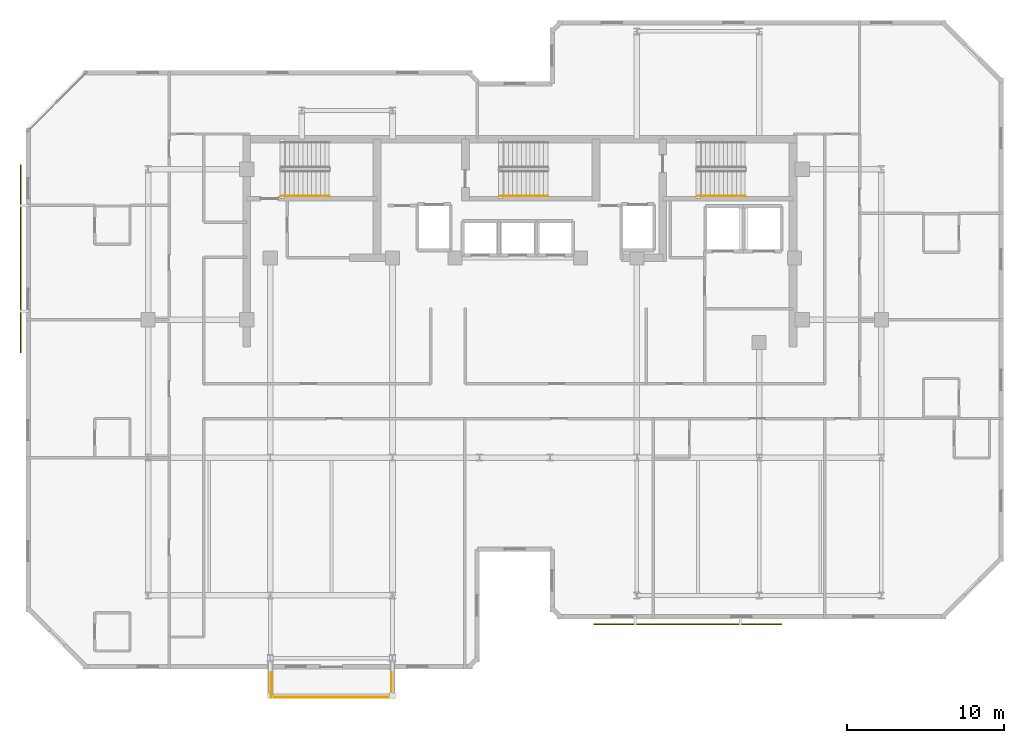
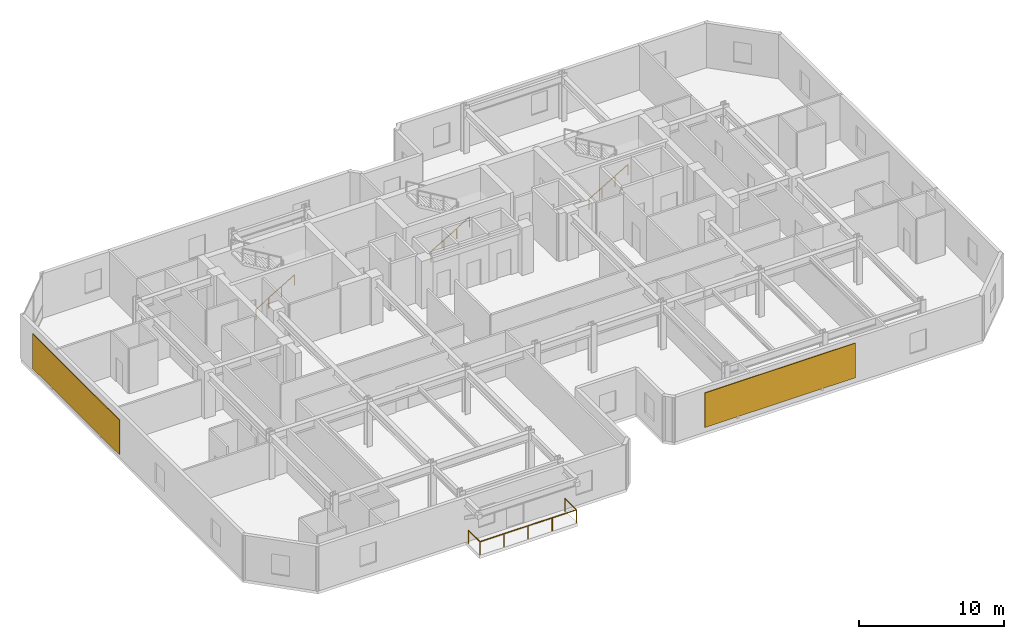
# One storey, part 9 of 10: 5 railings, 2 shading devices.
"""IFC4 building model written with IfcOpenShell, lengths in metres."""

from ifc_helpers import new_model, si_unit, direction, frame, origin, origin_2d, place, context, subcontext, project, spatial, rectangle, circle, extrude, material, layer, layer_set, type_object, element, save


model = new_model("IFC4")

# Units and contexts
model_context = context("Model", 3, precision=1e-05, world=origin(), true_north=direction((0.0, 1.0)))
body_context = subcontext(model_context, "Body", "Model", "MODEL_VIEW")
ifc_project = project(units=[si_unit("LENGTHUNIT", "METRE"), si_unit("AREAUNIT", "SQUARE_METRE"), si_unit("VOLUMEUNIT", "CUBIC_METRE"), si_unit("PLANEANGLEUNIT", "RADIAN"), si_unit("MASSUNIT", "GRAM", prefix="KILO")], contexts=[model_context])

# Site, building, storey
site_placement = place(None, origin())
site = spatial("IfcSite", under=ifc_project, at=site_placement, CompositionType="ELEMENT")
building_placement = place(site_placement, origin())
building = spatial("IfcBuilding", under=site, at=building_placement, Name="Kestravale Grand Hotel", CompositionType="ELEMENT")
storey_placement = place(building_placement, frame((0.0, 0.0, 277.39990234375)))
storey = spatial("IfcBuildingStorey", under=building, at=storey_placement, Name="L69", CompositionType="ELEMENT", Elevation=277.39990234375)

# Railings
ifc_material_1 = material(Name="Champagne-bronze stainless steel and laminated glass guard", Category="steel")
railing_type_1 = type_object("IfcRailingType", Name="RL-EXT-1100", PredefinedType="GUARDRAIL", material=ifc_material_1)
railing_1_placement = place(storey_placement, frame((23.4599609375, 4.7099609375, 0.0)))
element("IfcRailing", 1, at=railing_1_placement, inside=storey, type_object=railing_type_1, Name="L69 outdoor terrace guard 1", PredefinedType="GUARDRAIL", context=body_context, shape_type="SweptSolid", body=[
    extrude(circle(Radius=0.02392578125, at=origin_2d()), frame((0.0, 0.0, 1.09619140625), z_axis=(0.0, 1.0, 0.0), x_axis=(-1.0, 0.0, 0.0)), (0.0, 0.0, 1.0), 1.570068359375),
    extrude(circle(Radius=0.02099609375, at=origin_2d()), origin(), (0.0, 0.0, 1.0), 1.072021484375),
    extrude(circle(Radius=0.02099609375, at=origin_2d()), frame((0.0, 1.570068359375, 0.0)), (0.0, 0.0, 1.0), 1.072021484375),
])
railing_2_placement = place(storey_placement, frame((31.139892578125, 6.280029296875, 0.0)))
element("IfcRailing", 2, at=railing_2_placement, inside=storey, type_object=railing_type_1, Name="L69 outdoor terrace guard 2", PredefinedType="GUARDRAIL", context=body_context, shape_type="SweptSolid", body=[
    extrude(circle(Radius=0.02392578125, at=origin_2d()), frame((0.0, 0.0, 1.09619140625), z_axis=(0.0, -1.0, 0.0), x_axis=(1.0, 0.0, 0.0)), (0.0, 0.0, 1.0), 1.570068359375),
    extrude(circle(Radius=0.02392578125, at=origin_2d()), frame((0.0, -1.570068359375, 1.09619140625), z_axis=(-1.0, 0.0, 0.0), x_axis=(0.0, -1.0, 0.0)), (0.0, 0.0, 1.0), 7.679931640625),
    extrude(circle(Radius=0.02099609375, at=origin_2d()), origin(), (0.0, 0.0, 1.0), 1.072021484375),
    extrude(circle(Radius=0.02099609375, at=origin_2d()), frame((0.0, -1.570068359375, 0.0)), (0.0, 0.0, 1.0), 1.072021484375),
    extrude(circle(Radius=0.02099609375, at=origin_2d()), frame((-1.919921875, -1.570068359375, 0.0)), (0.0, 0.0, 1.0), 1.072021484375),
    extrude(circle(Radius=0.02099609375, at=origin_2d()), frame((-3.83984375, -1.570068359375, 0.0)), (0.0, 0.0, 1.0), 1.072021484375),
    extrude(circle(Radius=0.02099609375, at=origin_2d()), frame((-5.760009765625, -1.570068359375, 0.0)), (0.0, 0.0, 1.0), 1.072021484375),
    extrude(circle(Radius=0.02099609375, at=origin_2d()), frame((-7.679931640625, -1.570068359375, 0.0)), (0.0, 0.0, 1.0), 1.072021484375),
])
ifc_material_2 = material(Name="Brushed stainless steel wall handrail", Category="steel")
railing_type_2 = type_object("IfcRailingType", Name="RL-ST-HND900", PredefinedType="HANDRAIL", material=ifc_material_2)
railing_3_placement = place(storey_placement, frame((24.080078125, 36.699951171875, 0.166748046875)))
element("IfcRailing", 3, at=railing_3_placement, inside=storey, type_object=railing_type_2, Name="L69 ST-1 stair handrail 1", PredefinedType="HANDRAIL", context=body_context, shape_type="SweptSolid", body=[
    extrude(circle(Radius=0.02392578125, at=origin_2d()), frame((0.0, 0.0, 0.8759765625), z_axis=(0.859290745958, 0.0, 0.51148745235), x_axis=(0.0, 1.0, 0.0)), (0.0, 0.0, 1.0), 3.584228515625),
    extrude(circle(Radius=0.02099609375, at=origin_2d()), origin(), (0.0, 0.0, 1.0), 0.851806640625),
    extrude(circle(Radius=0.02099609375, at=origin_2d()), frame((1.026611328125, 0.0, 0.611083984375)), (0.0, 0.0, 1.0), 0.851806640625),
    extrude(circle(Radius=0.02099609375, at=origin_2d()), frame((2.05322265625, 0.0, 1.22216796875)), (0.0, 0.0, 1.0), 0.851806640625),
    extrude(circle(Radius=0.02099609375, at=origin_2d()), frame((3.079833984375, 0.0, 1.833251953125)), (0.0, 0.0, 1.0), 0.851806640625),
])
for number, where, name in (
    (4, (38.030029296875, 36.699951171875, 0.166748046875), "L69 ST-2 stair handrail 1"),
    (5, (50.6298828125, 36.699951171875, 0.166748046875), "L69 ST-3 stair handrail 1"),
):
    element("IfcRailing", number, at=place(storey_placement, frame(where)), inside=storey, type_object=railing_type_2, Name=name, PredefinedType="HANDRAIL", context=body_context, shape_type="SweptSolid", body=[
        extrude(circle(Radius=0.02392578125, at=origin_2d()), frame((0.0, 0.0, 0.8759765625), z_axis=(0.859308565015, 0.0, 0.511457515432), x_axis=(0.0, 1.0, 0.0)), (0.0, 0.0, 1.0), 3.58447265625),
        extrude(circle(Radius=0.02099609375, at=origin_2d()), origin(), (0.0, 0.0, 1.0), 0.851806640625),
        extrude(circle(Radius=0.02099609375, at=origin_2d()), frame((1.026611328125, 0.0, 0.611083984375)), (0.0, 0.0, 1.0), 0.851806640625),
        extrude(circle(Radius=0.02099609375, at=origin_2d()), frame((2.053466796875, 0.0, 1.22216796875)), (0.0, 0.0, 1.0), 0.851806640625),
        extrude(circle(Radius=0.02099609375, at=origin_2d()), frame((3.080078125, 0.0, 1.833251953125)), (0.0, 0.0, 1.0), 0.851806640625),
    ])

# Shading devices
ifc_material_3 = material(Name="Perforated champagne-bronze aluminium and ceramic solar screen", Category="aluminium")
ifc_layer = layer(ifc_material_3, 0.06494140625)
ifc_layer_set = layer_set([ifc_layer], Name="SHD-SCR-CHEV")
shading_device_type = type_object("IfcShadingDeviceType", Name="SHD-SCR-CHEV", PredefinedType="USERDEFINED", material=ifc_layer_set)
for number, where, z_axis, x_axis, name in (
    (6, (50.050048828125, 9.360107421875, 0.7001953125), (0.0, 0.0, 1.0), (1.0, 0.0, 0.0), "L69 Perforated bronze ceramic chevron solar screen SCR-L69-07"),
    (7, (7.4599609375, 32.699951171875, 0.7001953125), (0.0, 0.0, 1.0), (0.0, -1.0, 0.0), "L69 Perforated bronze ceramic chevron solar screen SCR-L69-19"),
):
    element("IfcShadingDevice", number, at=place(storey_placement, frame(where, z_axis=z_axis, x_axis=x_axis)), inside=storey, type_object=shading_device_type, Name=name, ObjectType="SCREEN", PredefinedType="USERDEFINED", context=body_context, shape_type="SweptSolid", body=[
        extrude(rectangle(XDim=12.0, YDim=0.06494140625, at=origin_2d()), origin(), (0.0, 0.0, 1.0), 2.909912109375),
    ])

save(model, "model.ifc")
